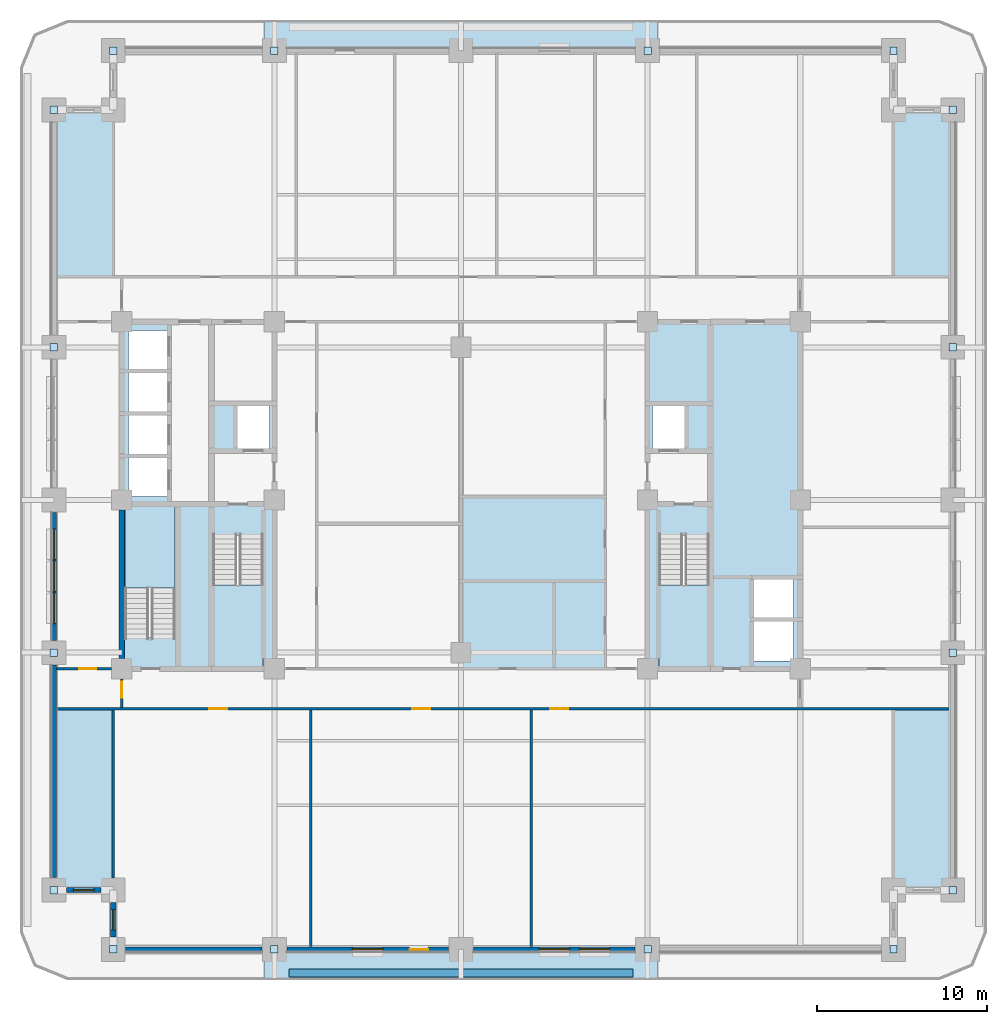
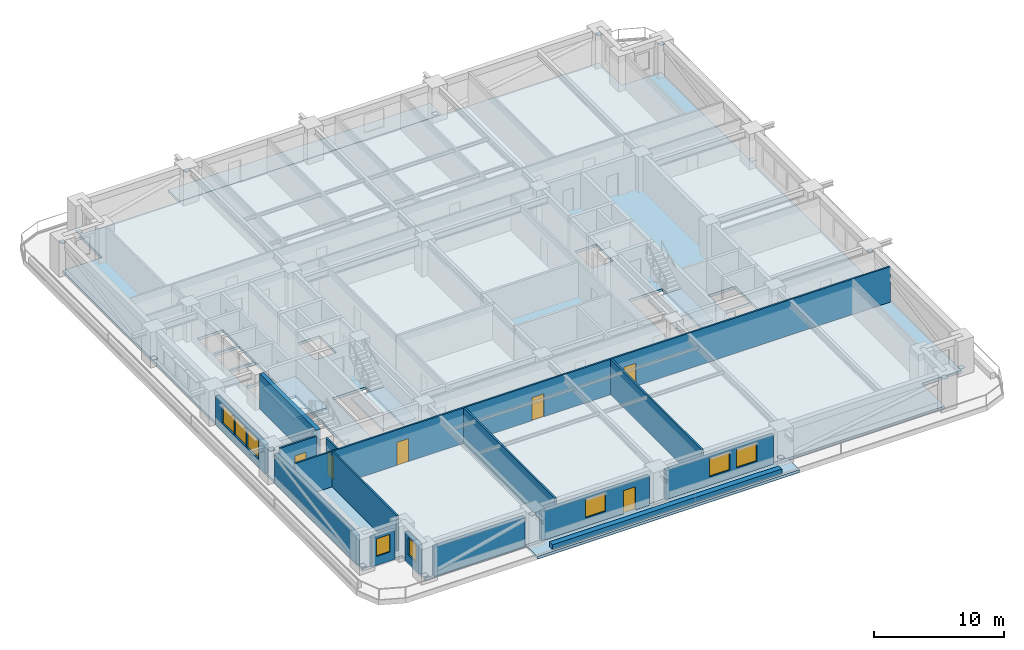
# One storey, part 2 of 14: 16 plates, 15 walls, 8 windows, 6 doors, 6 slabs, 14 openings, 3 elements without a shape of their own.
"""IFC4 building model written with IfcOpenShell, lengths in metres."""

import ifcopenshell
import ifcopenshell.guid

model = None  # the IFC model being written
_history = None  # IfcOwnerHistory: only IFC2X3 demands one
_inside = {}  # id of a spatial element -> (the spatial element, [elements in it])
_under = {}  # id of a project, library or spatial element -> (it, [spatial elements below it])
_declared = {}  # id of a project -> (the project, [libraries it declares])
_typed = {}  # id of a type object -> (the type object, [elements of that type])
_made_of = {}  # id of a material, layer set ... -> (it, [elements and type objects made of it])


def new_model(schema):
    """Start an empty IFC model of exactly this schema.

    Asked for "IFC4X3", IfcOpenShell would pick the latest addendum, in which some entities
    have other attributes; the version numbers below select the first issue.
    IFC2X3 requires an IfcOwnerHistory on every rooted entity: one is made here for all.
    """
    global model, _history
    if schema == "IFC4X3":
        model = ifcopenshell.file(schema_version=(4, 3, 0, 0))
    else:
        model = ifcopenshell.file(schema=schema)
    _inside.clear()
    _under.clear()
    _declared.clear()
    _typed.clear()
    _made_of.clear()
    _history = None
    if model.schema == "IFC2X3":
        org = make("IfcOrganization", Name="unknown")
        user = make(
            "IfcPersonAndOrganization",
            ThePerson=make("IfcPerson", FamilyName="unknown"),
            TheOrganization=org,
        )
        app = make(
            "IfcApplication",
            ApplicationDeveloper=org,
            Version="unknown",
            ApplicationFullName="unknown",
            ApplicationIdentifier="unknown",
        )
        _history = make(
            "IfcOwnerHistory",
            OwningUser=user,
            OwningApplication=app,
            ChangeAction="ADDED",
            CreationDate=0,
        )
    return model


def make(cls, **values):
    """One entity of the class cls with the attributes given. An attribute that is None is left unset."""
    return model.create_entity(
        cls, **{name: value for name, value in values.items() if value is not None}
    )


def rooted(cls, **values):
    """An entity with a GlobalId (a new one), such as an element, a storey or a relation."""
    return make(cls, GlobalId=ifcopenshell.guid.new(), OwnerHistory=_history, **values)


def si_unit(unit_type, name, prefix=None):
    """IfcSIUnit, for example si_unit("LENGTHUNIT", "METRE", prefix="MILLI")."""
    return make("IfcSIUnit", UnitType=unit_type, Prefix=prefix, Name=name)


def assignment(units):
    """IfcUnitAssignment: the units of a project."""
    return None if units is None else make("IfcUnitAssignment", Units=units)


def point(xyz):
    """IfcCartesianPoint."""
    return None if xyz is None else make("IfcCartesianPoint", Coordinates=xyz)


def direction(xyz):
    """IfcDirection."""
    return None if xyz is None else make("IfcDirection", DirectionRatios=xyz)


def frame(location, z_axis=None, x_axis=None):
    """IfcAxis2Placement3D, a coordinate frame: its origin and axes. An axis left out is left unset."""
    return make(
        "IfcAxis2Placement3D",
        Location=point(location),
        Axis=direction(z_axis),
        RefDirection=direction(x_axis),
    )


def frame_2d(location, x_axis=None):
    """IfcAxis2Placement2D, a coordinate frame in the plane: its origin and x axis."""
    return make(
        "IfcAxis2Placement2D", Location=point(location), RefDirection=direction(x_axis)
    )


def origin():
    """The frame at (0, 0, 0) with its axes left unset."""
    return frame((0.0, 0.0, 0.0))


def origin_2d():
    """The frame at (0, 0) in the plane with its x axis left unset."""
    return frame_2d((0.0, 0.0))


def place(relative_to, where):
    """IfcLocalPlacement: puts the frame where relative to a parent placement (None: the world)."""
    return make(
        "IfcLocalPlacement", PlacementRelTo=relative_to, RelativePlacement=where
    )


def context(
    kind, dimensions, precision=None, world=None, true_north=None, identifier=None
):
    """IfcGeometricRepresentationContext, for example the 3D "Model" context."""
    return make(
        "IfcGeometricRepresentationContext",
        ContextIdentifier=identifier,
        ContextType=kind,
        CoordinateSpaceDimension=dimensions,
        Precision=precision,
        WorldCoordinateSystem=world,
        TrueNorth=true_north,
    )


def subcontext(parent, identifier, kind, view, scale=None):
    """IfcGeometricRepresentationSubContext, for example "Body" below "Model"."""
    return make(
        "IfcGeometricRepresentationSubContext",
        ContextIdentifier=identifier,
        ContextType=kind,
        ParentContext=parent,
        TargetScale=scale,
        TargetView=view,
    )


def project(units=None, contexts=None):
    """IfcProject with its units and contexts."""
    return rooted(
        "IfcProject",
        Name="project",
        RepresentationContexts=contexts,
        UnitsInContext=assignment(units),
    )


def spatial(cls, under=None, at=None, **own):
    """A site, building, storey or space (cls), placed at a placement, below another one or the project."""
    s = rooted(cls, ObjectPlacement=at, **own)
    if under is not None:
        _under.setdefault(under.id(), (under, []))[1].append(s)
    return s


def polyline(points):
    """IfcPolyline through the points."""
    return make("IfcPolyline", Points=[point(p) for p in points])


def profile(cls, at=None, kind="AREA", **sizes):
    """A parametric profile (cls). Its sizes go by their IFC names, for example OverallWidth=200.0."""
    return make(cls, ProfileType=kind, Position=at, **sizes)


def rectangle(**sizes):
    """IfcRectangleProfileDef."""
    return profile("IfcRectangleProfileDef", **sizes)


def outline(outer, holes=None, kind="AREA"):
    """IfcArbitraryClosedProfileDef: a profile drawn as a closed curve; with holes, ...WithVoids."""
    if holes is None:
        return make("IfcArbitraryClosedProfileDef", ProfileType=kind, OuterCurve=outer)
    return make(
        "IfcArbitraryProfileDefWithVoids",
        ProfileType=kind,
        OuterCurve=outer,
        InnerCurves=holes,
    )


def extrude(swept, where, along, depth):
    """IfcExtrudedAreaSolid: the profile swept, set in the frame where, extruded along a direction by depth."""
    return make(
        "IfcExtrudedAreaSolid",
        SweptArea=swept,
        Position=where,
        ExtrudedDirection=direction(along),
        Depth=depth,
    )


def shape(context_of_items, identifier, shape_type, items):
    """IfcShapeRepresentation: the items that make up one representation, for example the "Body"."""
    return make(
        "IfcShapeRepresentation",
        ContextOfItems=context_of_items,
        RepresentationIdentifier=identifier,
        RepresentationType=shape_type,
        Items=items,
    )


def material(Name=None, Category=None):
    """IfcMaterial."""
    return make("IfcMaterial", Name=Name, Category=Category)


def layer(
    of_material, thickness, ventilated=None, Name=None, Category=None, Priority=None
):
    """IfcMaterialLayer: one layer of a wall or slab, of a material (None: an air gap)."""
    return make(
        "IfcMaterialLayer",
        Material=of_material,
        LayerThickness=thickness,
        IsVentilated=ventilated,
        Name=Name,
        Category=Category,
        Priority=Priority,
    )


def layer_set(layers, Name=None):
    """IfcMaterialLayerSet."""
    return make("IfcMaterialLayerSet", MaterialLayers=layers, LayerSetName=Name)


def made_of(thing, what):
    """Note that an element or type object is made of a material, layer set ...; save() writes the relation."""
    if what is not None:
        _made_of.setdefault(what.id(), (what, []))[1].append(thing)
    return thing


def type_object(cls, material=None, **own):
    """A type object (cls), such as IfcWallType, which elements share."""
    return made_of(rooted(cls, **own), material)


def element(
    cls,
    number,
    at=None,
    inside=None,
    cuts=None,
    type_object=None,
    material=None,
    context=None,
    identifier="Body",
    shape_type=None,
    held_by="IfcProductDefinitionShape",
    body=None,
    shapes=None,
    **own,
):
    """One element of the class cls, such as IfcWall. Its Tag is "e" and its number.

    at: its placement. inside: the storey or other place that contains it. cuts: it is an
    opening in that element (IfcRelVoidsElement). A single representation is given by context,
    identifier, shape_type and body (its items); several are given by shapes. held_by: the class
    of the entity that holds the representations. save() writes the other relations.
    """
    e = rooted(cls, Tag="e%d" % number, ObjectPlacement=at, **own)
    if body is not None:
        shapes = [shape(context, identifier, shape_type, body)]
    if shapes is not None:
        e.Representation = make(held_by, Representations=shapes)
    if inside is not None:
        _inside.setdefault(inside.id(), (inside, []))[1].append(e)
    if cuts is not None:
        rooted(
            "IfcRelVoidsElement", RelatingBuildingElement=cuts, RelatedOpeningElement=e
        )
    if type_object is not None:
        _typed.setdefault(type_object.id(), (type_object, []))[1].append(e)
    return made_of(e, material)


def fill(opening, filler):
    """IfcRelFillsElement: the door or window that sits in an opening."""
    return rooted(
        "IfcRelFillsElement",
        RelatingOpeningElement=opening,
        RelatedBuildingElement=filler,
    )


def aggregate(whole, parts):
    """IfcRelAggregates: a whole, such as a stair, and the parts it consists of."""
    return rooted("IfcRelAggregates", RelatingObject=whole, RelatedObjects=parts)


def save(model, path):
    """Write the relations noted so far, then the file.

    IfcRelAggregates (storeys below a building ...), IfcRelContainedInSpatialStructure (elements
    in a storey), IfcRelDefinesByType, IfcRelAssociatesMaterial and IfcRelDeclares: one each for
    every whole, place, type object, material and project.
    """
    for whole, parts in _under.values():
        aggregate(whole, parts)
    for where, things in _inside.values():
        rooted(
            "IfcRelContainedInSpatialStructure",
            RelatedElements=things,
            RelatingStructure=where,
        )
    for kind, things in _typed.values():
        rooted("IfcRelDefinesByType", RelatedObjects=things, RelatingType=kind)
    for what, things in _made_of.values():
        rooted("IfcRelAssociatesMaterial", RelatedObjects=things, RelatingMaterial=what)
    for by, libraries in _declared.values():
        rooted("IfcRelDeclares", RelatingContext=by, RelatedDefinitions=libraries)
    model.write(path)


model = new_model("IFC4")

# Units and contexts
model_context = context("Model", 3, precision=1e-05, world=origin(), true_north=direction((0.0, 1.0)))
body_context = subcontext(model_context, "Body", "Model", "MODEL_VIEW")
ifc_project = project(units=[si_unit("LENGTHUNIT", "METRE"), si_unit("AREAUNIT", "SQUARE_METRE"), si_unit("VOLUMEUNIT", "CUBIC_METRE"), si_unit("PLANEANGLEUNIT", "RADIAN"), si_unit("MASSUNIT", "GRAM", prefix="KILO")], contexts=[model_context])

# Site, building, storey
site_placement = place(None, origin())
site = spatial("IfcSite", under=ifc_project, at=site_placement, CompositionType="ELEMENT")
building_placement = place(site_placement, origin())
building = spatial("IfcBuilding", under=site, at=building_placement, Name="Zulmaris Gate Convention Tower", CompositionType="ELEMENT")
storey_placement = place(building_placement, frame((0.0, 0.0, 45.050048828125)))
storey = spatial("IfcBuildingStorey", under=building, at=storey_placement, Name="L10", CompositionType="ELEMENT", Elevation=45.050048828125)

# Plates
ifc_material_1 = material(Name="Steel S460", Category="steel")
ifc_layer_1 = layer(ifc_material_1, 0.02490234375, Name="Steel S460")
ifc_layer_set_1 = layer_set([ifc_layer_1], Name="Steel S460")
plate_type = type_object("IfcPlateType", Name="NP-CAP-440", PredefinedType="USERDEFINED", material=ifc_layer_set_1)
for number, where, z_axis, x_axis, name in (
    (1, (-24.0, -23.0, 0.28759765625), (0.0, 0.0, 1.0), (1.0, 0.0, 0.0), "L10 Steel Node Plate PBR-L10-SW-W-CAP"),
    (2, (-24.0, -9.0, 2.6875), (0.0, 0.0, 1.0), (1.0, 0.0, 0.0), "L10 Steel Node Plate PBR-L10-SW-W-CAPB"),
    (3, (-24.0, 9.0, 0.28759765625), (0.0, 0.0, 1.0), (1.0, 0.0, 0.0), "L10 Steel Node Plate PBR-L10-NW-W-CAP"),
    (4, (-24.0, 23.0, 2.6875), (0.0, 0.0, 1.0), (1.0, 0.0, 0.0), "L10 Steel Node Plate PBR-L10-NW-W-CAPB"),
    (5, (29.0, -23.0, 0.28759765625), (0.0, 0.0, 1.0), (1.0, 0.0, 0.0), "L10 Steel Node Plate PBR-L10-SE-E-CAP"),
    (6, (29.0, -9.0, 2.6875), (0.0, 0.0, 1.0), (1.0, 0.0, 0.0), "L10 Steel Node Plate PBR-L10-SE-E-CAPB"),
    (7, (29.0, 9.0, 0.28759765625), (0.0, 0.0, 1.0), (1.0, 0.0, 0.0), "L10 Steel Node Plate PBR-L10-NE-E-CAP"),
    (8, (29.0, 23.0, 2.6875), (0.0, 0.0, 1.0), (1.0, 0.0, 0.0), "L10 Steel Node Plate PBR-L10-NE-E-CAPB"),
    (9, (-20.5, -26.5, 0.28759765625), (0.0, 0.0, 1.0), (1.0, 0.0, 0.0), "L10 Steel Node Plate PBR-L10-SW-S-CAP"),
    (10, (-11.0, -26.5, 2.6875), (0.0, 0.0, 1.0), (1.0, 0.0, 0.0), "L10 Steel Node Plate PBR-L10-SW-S-CAPB"),
    (11, (11.0, -26.5, 0.28759765625), (0.0, 0.0, 1.0), (1.0, 0.0, 0.0), "L10 Steel Node Plate PBR-L10-SE-S-CAP"),
    (12, (25.5, -26.5, 2.6875), (0.0, 0.0, 1.0), (1.0, 0.0, 0.0), "L10 Steel Node Plate PBR-L10-SE-S-CAPB"),
    (13, (-20.5, 26.5, 0.28759765625), (0.0, 0.0, 1.0), (1.0, 0.0, 0.0), "L10 Steel Node Plate PBR-L10-NW-N-CAP"),
    (14, (-11.0, 26.5, 2.6875), (0.0, 0.0, 1.0), (1.0, 0.0, 0.0), "L10 Steel Node Plate PBR-L10-NW-N-CAPB"),
    (15, (11.0, 26.5, 0.28759765625), (0.0, 0.0, 1.0), (1.0, 0.0, 0.0), "L10 Steel Node Plate PBR-L10-NE-N-CAP"),
    (16, (25.5, 26.5, 2.6875), (0.0, 0.0, 1.0), (1.0, 0.0, 0.0), "L10 Steel Node Plate PBR-L10-NE-N-CAPB"),
):
    element("IfcPlate", number, at=place(storey_placement, frame(where, z_axis=z_axis, x_axis=x_axis)), inside=storey, type_object=plate_type, Name=name, ObjectType="FLANGE PLATE", PredefinedType="USERDEFINED", context=body_context, shape_type="SweptSolid", body=[
        extrude(rectangle(XDim=0.43994140625, YDim=0.43994140625, at=origin_2d()), origin(), (0.0, 0.0, 1.0), 0.02490234375),
    ])

# Slabs
ifc_material_2 = material(Name="Precast concrete C50/60", Category="concrete")
ifc_layer_2 = layer(ifc_material_2, 0.260009765625, Name="Precast concrete C50/60")
ifc_layer_set_2 = layer_set([ifc_layer_2], Name="Precast concrete C50/60")
slab_type_1 = type_object("IfcSlabType", Name="SL-BAL-260", PredefinedType="FLOOR", material=ifc_layer_set_2)
slab_1_placement = place(storey_placement, frame((0.0, 0.0, -0.25)))
element("IfcSlab", 17, at=slab_1_placement, inside=storey, type_object=slab_type_1, Name="L10 South Tree-Balcony Planter Slab", PredefinedType="FLOOR", context=body_context, shape_type="SweptSolid", body=[
    extrude(outline(polyline([(-11.597900390625, -28.300048828125), (-11.597900390625, -26.5), (11.597900390625, -26.5), (11.597900390625, -28.300048828125), (-11.597900390625, -28.300048828125)])), origin(), (0.0, 0.0, 1.0), 0.260009765625),
])
slab_2_placement = place(storey_placement, frame((0.0, 0.0, -0.25)))
element("IfcSlab", 18, at=slab_2_placement, inside=storey, type_object=slab_type_1, Name="L10 North Tree-Balcony Planter Slab", PredefinedType="FLOOR", context=body_context, shape_type="SweptSolid", body=[
    extrude(outline(polyline([(11.597900390625, 28.300048828125), (11.597900390625, 26.5), (-11.597900390625, 26.5), (-11.597900390625, 28.300048828125), (11.597900390625, 28.300048828125)])), origin(), (0.0, 0.0, 1.0), 0.260009765625),
])
ifc_material_3 = material(Name="Concrete C50/60", Category="concrete")
ifc_layer_3 = layer(ifc_material_3, 0.25, Name="Concrete C50/60")
ifc_layer_set_3 = layer_set([ifc_layer_3], Name="Concrete C50/60")
slab_type_2 = type_object("IfcSlabType", Name="SL-FLR-250", PredefinedType="FLOOR", material=ifc_layer_set_3)
slab_3_placement = place(storey_placement, frame((0.0, 0.0, -0.25)))
element("IfcSlab", 19, at=slab_3_placement, inside=storey, type_object=slab_type_2, Name="L10 Shifted Notched-Square Structural Floor Slab", PredefinedType="FLOOR", context=body_context, shape_type="SweptSolid", body=[
    extrude(outline(polyline([(-20.5, -26.5), (25.5, -26.5), (25.5, -23.0), (29.0, -23.0), (29.0, 23.0), (25.5, 23.0), (25.5, 26.5), (-20.5, 26.5), (-20.5, 23.0), (-24.0, 23.0), (-24.0, -23.0), (-20.5, -23.0), (-20.5, -26.5)]), holes=[polyline([(-14.6201171875, -2.080078125), (-14.6201171875, -9.85009765625), (-11.659912109375, -9.85009765625), (-11.659912109375, -2.080078125), (-14.6201171875, -2.080078125)]), polyline([(11.659912109375, -2.080078125), (11.659912109375, -9.85009765625), (14.6201171875, -9.85009765625), (14.6201171875, -2.080078125), (11.659912109375, -2.080078125)]), polyline([(-16.860107421875, -8.1201171875), (-16.860107421875, -0.35009765625), (-19.820068359375, -0.35009765625), (-19.820068359375, -8.1201171875), (-16.860107421875, -8.1201171875)]), polyline([(-13.199951171875, 3.0), (-11.300048828125, 3.0), (-11.300048828125, 5.60009765625), (-13.199951171875, 5.60009765625), (-13.199951171875, 3.0)]), polyline([(11.300048828125, 3.0), (13.199951171875, 3.0), (13.199951171875, 5.60009765625), (11.300048828125, 5.60009765625), (11.300048828125, 3.0)]), polyline([(-19.60009765625, 0.199951171875), (-17.300048828125, 0.199951171875), (-17.300048828125, 2.5), (-19.60009765625, 2.5), (-19.60009765625, 0.199951171875)]), polyline([(-19.60009765625, 2.699951171875), (-17.300048828125, 2.699951171875), (-17.300048828125, 5.0), (-19.60009765625, 5.0), (-19.60009765625, 2.699951171875)]), polyline([(-19.60009765625, 5.199951171875), (-17.300048828125, 5.199951171875), (-17.300048828125, 7.5), (-19.60009765625, 7.5), (-19.60009765625, 5.199951171875)]), polyline([(-19.60009765625, 7.699951171875), (-17.300048828125, 7.699951171875), (-17.300048828125, 10.0), (-19.60009765625, 10.0), (-19.60009765625, 7.699951171875)]), polyline([(17.199951171875, -9.5), (19.60009765625, -9.5), (19.60009765625, -7.10009765625), (17.199951171875, -7.10009765625), (17.199951171875, -9.5)]), polyline([(17.199951171875, -7.0), (19.60009765625, -7.0), (19.60009765625, -4.60009765625), (17.199951171875, -4.60009765625), (17.199951171875, -7.0)])]), origin(), (0.0, 0.0, 1.0), 0.25),
])

# Stair, slab
ifc_material_4 = material(Name="Concrete C45/55", Category="concrete")
stair_type = type_object("IfcStairType", Name="ST-CORE-DOGLEG", PredefinedType="HALF_TURN_STAIR", material=ifc_material_4)
stair_1_placement = place(storey_placement, origin())
stair_1 = element("IfcStair", 20, at=stair_1_placement, inside=storey, type_object=stair_type, Name="L10 Core Exit Stair ST-1", PredefinedType="HALF_TURN_STAIR")
ifc_layer_4 = layer(ifc_material_4, 0.199951171875, Name="Concrete C45/55")
ifc_layer_set_4 = layer_set([ifc_layer_4], Name="Concrete C45/55")
slab_type_3 = type_object("IfcSlabType", Name="SL-LND-200", PredefinedType="LANDING", material=ifc_layer_set_4)
slab_4_placement = place(storey_placement, frame((0.0, 0.0, 1.5849609375)))
slab_4 = element("IfcSlab", 21, at=slab_4_placement, type_object=slab_type_3, Name="ST-1 landing 1", PredefinedType="LANDING", context=body_context, shape_type="SweptSolid", body=[
    extrude(outline(polyline([(-14.6201171875, -5.0), (-14.6201171875, -9.85009765625), (-11.659912109375, -9.85009765625), (-11.659912109375, -5.0), (-14.6201171875, -5.0)])), origin(), (0.0, 0.0, 1.0), 0.199951171875),
])
aggregate(stair_1, [slab_4])

stair_2_placement = place(storey_placement, origin())
stair_2 = element("IfcStair", 22, at=stair_2_placement, inside=storey, type_object=stair_type, Name="L10 Core Exit Stair ST-2", PredefinedType="HALF_TURN_STAIR")
slab_5_placement = place(storey_placement, frame((0.0, 0.0, 1.5849609375)))
slab_5 = element("IfcSlab", 23, at=slab_5_placement, type_object=slab_type_3, Name="ST-2 landing 1", PredefinedType="LANDING", context=body_context, shape_type="SweptSolid", body=[
    extrude(outline(polyline([(11.659912109375, -5.0), (11.659912109375, -9.85009765625), (14.6201171875, -9.85009765625), (14.6201171875, -5.0), (11.659912109375, -5.0)])), origin(), (0.0, 0.0, 1.0), 0.199951171875),
])
aggregate(stair_2, [slab_5])

stair_3_placement = place(storey_placement, origin())
stair_3 = element("IfcStair", 24, at=stair_3_placement, inside=storey, type_object=stair_type, Name="L10 Core Exit Stair ST-3", PredefinedType="HALF_TURN_STAIR")
slab_6_placement = place(storey_placement, frame((0.0, 0.0, 1.5849609375)))
slab_6 = element("IfcSlab", 25, at=slab_6_placement, type_object=slab_type_3, Name="ST-3 landing 1", PredefinedType="LANDING", context=body_context, shape_type="SweptSolid", body=[
    extrude(outline(polyline([(-16.860107421875, -5.199951171875), (-16.860107421875, -0.35009765625), (-19.820068359375, -0.35009765625), (-19.820068359375, -5.199951171875), (-16.860107421875, -5.199951171875)])), origin(), (0.0, 0.0, 1.0), 0.199951171875),
])
aggregate(stair_3, [slab_6])

# Wall
ifc_material_5 = material(Name="Concrete C55/67", Category="concrete")
ifc_layer_5 = layer(ifc_material_5, 0.35009765625, Name="Concrete C55/67")
ifc_layer_set_5 = layer_set([ifc_layer_5], Name="Concrete C55/67")
wall_type_1 = type_object("IfcWallType", Name="CORE-350", PredefinedType="SHEAR", material=ifc_layer_set_5)
wall_1_placement = place(storey_placement, frame((-20.0, -9.345947265625, 0.0), z_axis=(0.0, 0.0, 1.0), x_axis=(0.0, 1.0, 0.0)))
element("IfcWall", 26, at=wall_1_placement, inside=storey, type_object=wall_type_1, Name="WL-L10-033", PredefinedType="SHEAR", context=body_context, shape_type="SweptSolid", body=[
    extrude(rectangle(XDim=8.741943359375, YDim=0.35009765625, at=frame_2d((4.37109375, 0.0))), origin(), (0.0, 0.0, 1.0), 3.320068359375),
])

# Wall, openings, doors
ifc_material_6 = material(Name="Gypsum Metal Stud Partition")
ifc_layer_6 = layer(ifc_material_6, 0.14990234375, Name="Gypsum Metal Stud Partition")
ifc_layer_set_6 = layer_set([ifc_layer_6], Name="Gypsum Metal Stud Partition")
wall_type_2 = type_object("IfcWallType", Name="PART-150", PredefinedType="PARTITIONING", material=ifc_layer_set_6)
wall_2_placement = place(storey_placement, frame((-23.8349609375, -12.300048828125, 0.0), z_axis=(0.0, 0.0, 1.0), x_axis=(1.0, 0.0, 0.0)))
wall_2 = element("IfcWall", 27, at=wall_2_placement, inside=storey, type_object=wall_type_2, Name="WL-L10-020", PredefinedType="PARTITIONING", context=body_context, shape_type="SweptSolid", body=[
    extrude(rectangle(XDim=52.669921875, YDim=0.14990234375, at=frame_2d((26.3349609375, 0.0))), origin(), (0.0, 0.0, 1.0), 3.320068359375),
])
opening_1_placement = place(wall_2_placement, frame((8.989990234375, 0.0, 0.0)))
opening_1 = element("IfcOpeningElement", 28, at=opening_1_placement, cuts=wall_2, Name="Opening D-09", PredefinedType="OPENING", context=body_context, shape_type="SweptSolid", body=[
    extrude(rectangle(XDim=1.050048828125, YDim=2.14990234375, at=frame_2d((0.52490234375, 1.074951171875))), frame((0.0, 0.0849609375, 0.0), z_axis=(0.0, -1.0, 0.0), x_axis=(1.0, 0.0, 0.0)), (0.0, 0.0, 1.0), 0.169921875),
])
opening_2_placement = place(wall_2_placement, frame((20.9599609375, 0.0, 0.0)))
opening_2 = element("IfcOpeningElement", 29, at=opening_2_placement, cuts=wall_2, Name="Opening D-09", PredefinedType="OPENING", context=body_context, shape_type="SweptSolid", body=[
    extrude(rectangle(XDim=1.050048828125, YDim=2.14990234375, at=frame_2d((0.52490234375, 1.074951171875))), frame((0.0, 0.0849609375, 0.0), z_axis=(0.0, -1.0, 0.0), x_axis=(1.0, 0.0, 0.0)), (0.0, 0.0, 1.0), 0.169921875),
])
opening_3_placement = place(wall_2_placement, frame((29.110107421875, 0.0, 0.0)))
opening_3 = element("IfcOpeningElement", 30, at=opening_3_placement, cuts=wall_2, Name="Opening D-09", PredefinedType="OPENING", context=body_context, shape_type="SweptSolid", body=[
    extrude(rectangle(XDim=1.050048828125, YDim=2.14990234375, at=frame_2d((0.52490234375, 1.074951171875))), frame((0.0, 0.0849609375, 0.0), z_axis=(0.0, -1.0, 0.0), x_axis=(1.0, 0.0, 0.0)), (0.0, 0.0, 1.0), 0.169921875),
])
ifc_material_7 = material(Name="Fire-Rated Steel", Category="steel")
door_type_1 = type_object("IfcDoorType", Name="DR-1050-FD", OperationType="NOTDEFINED", PredefinedType="DOOR", material=ifc_material_7)
door_1_placement = place(opening_1_placement, origin())
door_1 = element("IfcDoor", 31, at=door_1_placement, inside=storey, type_object=door_type_1, Name="L10 Partner Corner Office Door 27", OperationType="SINGLE_SWING_LEFT", OverallHeight=2.14990234375, OverallWidth=1.050048828125, PredefinedType="DOOR", context=body_context, shape_type="SweptSolid", body=[
    extrude(rectangle(XDim=1.050048828125, YDim=2.14990234375, at=frame_2d((0.52490234375, 1.074951171875))), frame((0.0, 0.02490234375, 0.0), z_axis=(0.0, -1.0, 0.0), x_axis=(1.0, 0.0, 0.0)), (0.0, 0.0, 1.0), 0.050048828125),
])
fill(opening_1, door_1)
door_2_placement = place(opening_2_placement, origin())
door_2 = element("IfcDoor", 32, at=door_2_placement, inside=storey, type_object=door_type_1, Name="L10 Advisory Suite Office Door 28", OperationType="SINGLE_SWING_RIGHT", OverallHeight=2.14990234375, OverallWidth=1.050048828125, PredefinedType="DOOR", context=body_context, shape_type="SweptSolid", body=[
    extrude(rectangle(XDim=1.050048828125, YDim=2.14990234375, at=frame_2d((0.52490234375, 1.074951171875))), frame((0.0, 0.02490234375, 0.0), z_axis=(0.0, -1.0, 0.0), x_axis=(1.0, 0.0, 0.0)), (0.0, 0.0, 1.0), 0.050048828125),
])
fill(opening_2, door_2)
door_3_placement = place(opening_3_placement, origin())
door_3 = element("IfcDoor", 33, at=door_3_placement, inside=storey, type_object=door_type_1, Name="L10 Open Plan Workplace Door 29", OperationType="SINGLE_SWING_LEFT", OverallHeight=2.14990234375, OverallWidth=1.050048828125, PredefinedType="DOOR", context=body_context, shape_type="SweptSolid", body=[
    extrude(rectangle(XDim=1.050048828125, YDim=2.14990234375, at=frame_2d((0.52490234375, 1.074951171875))), frame((0.0, 0.02490234375, 0.0), z_axis=(0.0, -1.0, 0.0), x_axis=(1.0, 0.0, 0.0)), (0.0, 0.0, 1.0), 0.050048828125),
])
fill(opening_3, door_3)

# Wall, opening, door
wall_3_placement = place(storey_placement, frame((-23.8349609375, -9.949951171875, 0.0), z_axis=(0.0, 0.0, 1.0), x_axis=(1.0, 0.0, 0.0)))
wall_3 = element("IfcWall", 34, at=wall_3_placement, inside=storey, type_object=wall_type_2, Name="WL-L10-021", PredefinedType="PARTITIONING", context=body_context, shape_type="SweptSolid", body=[
    extrude(rectangle(XDim=3.22900390625, YDim=0.14990234375, at=frame_2d((1.614501953125, 0.0))), origin(), (0.0, 0.0, 1.0), 3.320068359375),
])
opening_4_placement = place(wall_3_placement, frame((1.3349609375, 0.0, 0.0)))
opening_4 = element("IfcOpeningElement", 35, at=opening_4_placement, cuts=wall_3, Name="Opening D-10", PredefinedType="OPENING", context=body_context, shape_type="SweptSolid", body=[
    extrude(rectangle(XDim=1.0, YDim=2.14990234375, at=frame_2d((0.5, 1.074951171875))), frame((0.0, 0.0849609375, 0.0), z_axis=(0.0, -1.0, 0.0), x_axis=(1.0, 0.0, 0.0)), (0.0, 0.0, 1.0), 0.169921875),
])
ifc_material_8 = material(Name="Fire-Rated Timber", Category="wood")
door_type_2 = type_object("IfcDoorType", Name="DR-1000-FD", OperationType="NOTDEFINED", PredefinedType="DOOR", material=ifc_material_8)
door_4_placement = place(opening_4_placement, origin())
door_4 = element("IfcDoor", 36, at=door_4_placement, inside=storey, type_object=door_type_2, Name="L10 West Workplace South Door 39", OperationType="SINGLE_SWING_LEFT", OverallHeight=2.14990234375, OverallWidth=1.0, PredefinedType="DOOR", context=body_context, shape_type="SweptSolid", body=[
    extrude(rectangle(XDim=1.0, YDim=2.14990234375, at=frame_2d((0.5, 1.074951171875))), frame((0.0, 0.02490234375, 0.0), z_axis=(0.0, -1.0, 0.0), x_axis=(1.0, 0.0, 0.0)), (0.0, 0.0, 1.0), 0.050048828125),
])
fill(opening_4, door_4)

# Wall
wall_4_placement = place(storey_placement, frame((-20.5, -22.2939453125, 0.0), z_axis=(0.0, 0.0, 1.0), x_axis=(0.0, 1.0, 0.0)))
element("IfcWall", 37, at=wall_4_placement, inside=storey, type_object=wall_type_2, Name="WL-L10-068", PredefinedType="PARTITIONING", context=body_context, shape_type="SweptSolid", body=[
    extrude(rectangle(XDim=9.916015625, YDim=0.14990234375, at=frame_2d((4.9580078125, 0.0))), origin(), (0.0, 0.0, 1.0), 3.320068359375),
])

# Wall, opening, door
wall_5_placement = place(storey_placement, frame((-20.0, -12.221923828125, 0.0), z_axis=(0.0, 0.0, 1.0), x_axis=(0.0, 1.0, 0.0)))
wall_5 = element("IfcWall", 38, at=wall_5_placement, inside=storey, type_object=wall_type_2, Name="WL-L10-070", PredefinedType="PARTITIONING", context=body_context, shape_type="SweptSolid", body=[
    extrude(rectangle(XDim=1.666015625, YDim=0.14990234375, at=frame_2d((0.8330078125, 0.0))), origin(), (0.0, 0.0, 1.0), 3.320068359375),
])
opening_5_placement = place(wall_5_placement, frame((0.56591796875, 0.0, 0.0)))
opening_5 = element("IfcOpeningElement", 39, at=opening_5_placement, cuts=wall_5, Name="Opening D-11", PredefinedType="OPENING", context=body_context, shape_type="SweptSolid", body=[
    extrude(rectangle(XDim=0.949951171875, YDim=2.14990234375, at=frame_2d((0.47509765625, 1.074951171875))), frame((0.0, 0.0849609375, 0.0), z_axis=(0.0, -1.0, 0.0), x_axis=(1.0, 0.0, 0.0)), (0.0, 0.0, 1.0), 0.169921875),
])
door_type_3 = type_object("IfcDoorType", Name="DR-950-FD", OperationType="NOTDEFINED", PredefinedType="DOOR", material=ifc_material_8)
door_5_placement = place(opening_5_placement, origin())
door_5 = element("IfcDoor", 40, at=door_5_placement, inside=storey, type_object=door_type_3, Name="L10 SW Spur Door 37", OperationType="SINGLE_SWING_LEFT", OverallHeight=2.14990234375, OverallWidth=0.949951171875, PredefinedType="DOOR", context=body_context, shape_type="SweptSolid", body=[
    extrude(rectangle(XDim=0.949951171875, YDim=2.14990234375, at=frame_2d((0.47509765625, 1.074951171875))), frame((0.0, 0.02490234375, 0.0), z_axis=(0.0, -1.0, 0.0), x_axis=(1.0, 0.0, 0.0)), (0.0, 0.0, 1.0), 0.050048828125),
])
fill(opening_5, door_5)

# Walls
for number, where, z_axis, x_axis, name in (
    (41, (-8.85009765625, -26.3349609375, 0.0), (0.0, 0.0, 1.0), (0.0, 1.0, 0.0), "WL-L10-073"),
    (42, (4.14990234375, -26.3349609375, 0.0), (0.0, 0.0, 1.0), (0.0, 1.0, 0.0), "WL-L10-082"),
):
    element("IfcWall", number, at=place(storey_placement, frame(where, z_axis=z_axis, x_axis=x_axis)), inside=storey, type_object=wall_type_2, Name=name, PredefinedType="PARTITIONING", context=body_context, shape_type="SweptSolid", body=[
        extrude(rectangle(XDim=13.95703125, YDim=0.14990234375, at=frame_2d((6.978515625, 0.0))), origin(), (0.0, 0.0, 1.0), 3.320068359375),
    ])
ifc_material_9 = material(Name="Botanical Green Glazed Precast Concrete C40/50", Category="concrete")
ifc_layer_7 = layer(ifc_material_9, 0.419921875, Name="Botanical Green Glazed Precast Concrete C40/50")
ifc_layer_set_7 = layer_set([ifc_layer_7], Name="Botanical Green Glazed Precast Concrete C40/50")
wall_type_3 = type_object("IfcWallType", Name="PLANTER-CURB-200", PredefinedType="PARAPET", material=ifc_layer_set_7)
wall_6_placement = place(storey_placement, frame((-10.14990234375, -27.8798828125, -0.0400390625), z_axis=(0.0, 0.0, 1.0), x_axis=(1.0, 0.0, 0.0)))
element("IfcWall", 43, at=wall_6_placement, inside=storey, type_object=wall_type_3, Name="L10 Full-Length Balcony Tree Planter Trough", PredefinedType="PARAPET", context=body_context, shape_type="SweptSolid", body=[
    extrude(rectangle(XDim=20.2998046875, YDim=0.47998046875, at=frame_2d((10.14990234375, 0.0))), origin(), (0.0, 0.0, 1.0), 0.52001953125),
])

# Wall, opening, window
ifc_material_10 = material(Name="Precast concrete C40/50", Category="concrete")
ifc_layer_8 = layer(ifc_material_10, 0.300048828125, Name="Precast concrete C40/50")
ifc_layer_set_8 = layer_set([ifc_layer_8], Name="Precast concrete C40/50")
wall_type_4 = type_object("IfcWallType", Name="PRECAST-PIER-300", PredefinedType="STANDARD", material=ifc_layer_set_8)
wall_7_placement = place(storey_placement, frame((-23.27001953125, -23.0, 0.0), z_axis=(0.0, 0.0, 1.0), x_axis=(1.0, 0.0, 0.0)))
wall_7 = element("IfcWall", 44, at=wall_7_placement, inside=storey, type_object=wall_type_4, Name="EW-L10-NOTCH-SW1_0", PredefinedType="STANDARD", context=body_context, shape_type="SweptSolid", body=[
    extrude(rectangle(XDim=2.0400390625, YDim=0.300048828125, at=frame_2d((1.02001953125, 0.0))), origin(), (0.0, 0.0, 1.0), 2.712158203125),
])
opening_6_placement = place(wall_7_placement, frame((0.419921875, 0.0, 0.820068359375)))
opening_6 = element("IfcOpeningElement", 45, at=opening_6_placement, cuts=wall_7, Name="Opening W-04", PredefinedType="OPENING", context=body_context, shape_type="SweptSolid", body=[
    extrude(rectangle(XDim=1.199951171875, YDim=1.64990234375, at=frame_2d((0.60009765625, 0.824951171875))), frame((0.0, 0.16015625, 0.0), z_axis=(0.0, -1.0, 0.0), x_axis=(1.0, 0.0, 0.0)), (0.0, 0.0, 1.0), 0.320068359375),
])
ifc_material_11 = material(Name="Low-E Laminated Double Glazing in Aluminium Frame", Category="aluminium")
window_type_1 = type_object("IfcWindowType", Name="WIN-1200x2100", PartitioningType="SINGLE_PANEL", PredefinedType="WINDOW", material=ifc_material_11)
window_1_placement = place(opening_6_placement, origin())
window_1 = element("IfcWindow", 46, at=window_1_placement, inside=storey, type_object=window_type_1, Name="WN-EW-L10-NOTCH-SW1_0", OverallHeight=1.64990234375, OverallWidth=1.199951171875, PartitioningType="SINGLE_PANEL", PredefinedType="WINDOW", context=body_context, shape_type="SweptSolid", body=[
    extrude(rectangle(XDim=1.199951171875, YDim=1.64990234375, at=frame_2d((0.60009765625, 0.824951171875))), frame((0.0, 0.030029296875, 0.0), z_axis=(0.0, -1.0, 0.0), x_axis=(1.0, 0.0, 0.0)), (0.0, 0.0, 1.0), 0.06005859375),
])
fill(opening_6, window_1)

wall_8_placement = place(storey_placement, frame((-20.5, -23.72998046875, 0.0), z_axis=(0.0, 0.0, 1.0), x_axis=(0.0, -1.0, 0.0)))
wall_8 = element("IfcWall", 47, at=wall_8_placement, inside=storey, type_object=wall_type_4, Name="EW-L10-NOTCH-SW2_0", PredefinedType="STANDARD", context=body_context, shape_type="SweptSolid", body=[
    extrude(rectangle(XDim=2.0400390625, YDim=0.300048828125, at=frame_2d((1.02001953125, 0.0))), origin(), (0.0, 0.0, 1.0), 2.712158203125),
])
opening_7_placement = place(wall_8_placement, frame((0.419921875, 0.0, 0.820068359375)))
opening_7 = element("IfcOpeningElement", 48, at=opening_7_placement, cuts=wall_8, Name="Opening W-04", PredefinedType="OPENING", context=body_context, shape_type="SweptSolid", body=[
    extrude(rectangle(XDim=1.199951171875, YDim=1.64990234375, at=frame_2d((0.60009765625, 0.824951171875))), frame((0.0, 0.16015625, 0.0), z_axis=(0.0, -1.0, 0.0), x_axis=(1.0, 0.0, 0.0)), (0.0, 0.0, 1.0), 0.320068359375),
])
window_2_placement = place(opening_7_placement, origin())
window_2 = element("IfcWindow", 49, at=window_2_placement, inside=storey, type_object=window_type_1, Name="WN-EW-L10-NOTCH-SW2_0", OverallHeight=1.64990234375, OverallWidth=1.199951171875, PartitioningType="SINGLE_PANEL", PredefinedType="WINDOW", context=body_context, shape_type="SweptSolid", body=[
    extrude(rectangle(XDim=1.199951171875, YDim=1.64990234375, at=frame_2d((0.60009765625, 0.824951171875))), frame((0.0, 0.030029296875, 0.0), z_axis=(0.0, -1.0, 0.0), x_axis=(1.0, 0.0, 0.0)), (0.0, 0.0, 1.0), 0.06005859375),
])
fill(opening_7, window_2)

# Wall
wall_9_placement = place(storey_placement, frame((-19.77001953125, -26.5, 0.0), z_axis=(0.0, 0.0, 1.0), x_axis=(1.0, 0.0, 0.0)))
element("IfcWall", 50, at=wall_9_placement, inside=storey, type_object=wall_type_4, Name="EW-L10-S-0_0", PredefinedType="STANDARD", context=body_context, shape_type="SweptSolid", body=[
    extrude(rectangle(XDim=8.0400390625, YDim=0.300048828125, at=frame_2d((4.02001953125, 0.0))), origin(), (0.0, 0.0, 1.0), 2.712158203125),
])

# Wall, openings, door, window
wall_10_placement = place(storey_placement, frame((-10.27001953125, -26.5, 0.0), z_axis=(0.0, 0.0, 1.0), x_axis=(1.0, 0.0, 0.0)))
wall_10 = element("IfcWall", 51, at=wall_10_placement, inside=storey, type_object=wall_type_4, Name="EW-L10-S-1_0", PredefinedType="STANDARD", context=body_context, shape_type="SweptSolid", body=[
    extrude(rectangle(XDim=9.5400390625, YDim=0.300048828125, at=frame_2d((4.77001953125, 0.0))), origin(), (0.0, 0.0, 1.0), 2.712158203125),
])
opening_8_placement = place(wall_10_placement, frame((7.235107421875, 0.0, 0.0)))
opening_8 = element("IfcOpeningElement", 52, at=opening_8_placement, cuts=wall_10, Name="Opening D-04", PredefinedType="OPENING", context=body_context, shape_type="SweptSolid", body=[
    extrude(rectangle(XDim=1.10009765625, YDim=2.14990234375, at=frame_2d((0.550048828125, 1.074951171875))), frame((0.0, 0.16015625, 0.0), z_axis=(0.0, -1.0, 0.0), x_axis=(1.0, 0.0, 0.0)), (0.0, 0.0, 1.0), 0.320068359375),
])
opening_9_placement = place(wall_10_placement, frame((3.8701171875, 0.0, 0.780029296875)))
opening_9 = element("IfcOpeningElement", 53, at=opening_9_placement, cuts=wall_10, Name="Opening W-02", PredefinedType="OPENING", context=body_context, shape_type="SweptSolid", body=[
    extrude(rectangle(XDim=1.800048828125, YDim=1.719970703125, at=frame_2d((0.89990234375, 0.85986328125))), frame((0.0, 0.16015625, 0.0), z_axis=(0.0, -1.0, 0.0), x_axis=(1.0, 0.0, 0.0)), (0.0, 0.0, 1.0), 0.320068359375),
])
ifc_material_12 = material(Name="Anodised Aluminium and Laminated Glass", Category="aluminium")
door_type_4 = type_object("IfcDoorType", Name="ED-1100", OperationType="SINGLE_SWING_RIGHT", PredefinedType="DOOR", material=ifc_material_12)
door_6_placement = place(opening_8_placement, origin())
door_6 = element("IfcDoor", 54, at=door_6_placement, inside=storey, type_object=door_type_4, Name="L10 S Planted Terrace Door", OperationType="SINGLE_SWING_RIGHT", OverallHeight=2.14990234375, OverallWidth=1.10009765625, PredefinedType="DOOR", context=body_context, shape_type="SweptSolid", body=[
    extrude(rectangle(XDim=1.10009765625, YDim=2.14990234375, at=frame_2d((0.550048828125, 1.074951171875))), frame((0.0, 0.02490234375, 0.0), z_axis=(0.0, -1.0, 0.0), x_axis=(1.0, 0.0, 0.0)), (0.0, 0.0, 1.0), 0.050048828125),
])
fill(opening_8, door_6)
window_type_2 = type_object("IfcWindowType", Name="WIN-1800x2200", PartitioningType="SINGLE_PANEL", PredefinedType="WINDOW", material=ifc_material_11)
window_3_placement = place(opening_9_placement, origin())
window_3 = element("IfcWindow", 55, at=window_3_placement, inside=storey, type_object=window_type_2, Name="WN-EW-L10-S-1_0-2", OverallHeight=1.719970703125, OverallWidth=1.800048828125, PartitioningType="SINGLE_PANEL", PredefinedType="WINDOW", context=body_context, shape_type="SweptSolid", body=[
    extrude(rectangle(XDim=1.800048828125, YDim=1.719970703125, at=frame_2d((0.89990234375, 0.85986328125))), frame((0.0, 0.030029296875, 0.0), z_axis=(0.0, -1.0, 0.0), x_axis=(1.0, 0.0, 0.0)), (0.0, 0.0, 1.0), 0.06005859375),
])
fill(opening_9, window_3)

# Wall, openings, windows
wall_11_placement = place(storey_placement, frame((0.72998046875, -26.5, 0.0), z_axis=(0.0, 0.0, 1.0), x_axis=(1.0, 0.0, 0.0)))
wall_11 = element("IfcWall", 56, at=wall_11_placement, inside=storey, type_object=wall_type_4, Name="EW-L10-S-2_0", PredefinedType="STANDARD", context=body_context, shape_type="SweptSolid", body=[
    extrude(rectangle(XDim=9.5400390625, YDim=0.300048828125, at=frame_2d((4.77001953125, 0.0))), origin(), (0.0, 0.0, 1.0), 2.712158203125),
])
opening_10_placement = place(wall_11_placement, frame((3.8701171875, 0.0, 0.780029296875)))
opening_10 = element("IfcOpeningElement", 57, at=opening_10_placement, cuts=wall_11, Name="Opening W-02", PredefinedType="OPENING", context=body_context, shape_type="SweptSolid", body=[
    extrude(rectangle(XDim=1.800048828125, YDim=1.719970703125, at=frame_2d((0.89990234375, 0.85986328125))), frame((0.0, 0.16015625, 0.0), z_axis=(0.0, -1.0, 0.0), x_axis=(1.0, 0.0, 0.0)), (0.0, 0.0, 1.0), 0.320068359375),
])
opening_11_placement = place(wall_11_placement, frame((6.2548828125, 0.0, 0.780029296875)))
opening_11 = element("IfcOpeningElement", 58, at=opening_11_placement, cuts=wall_11, Name="Opening W-02", PredefinedType="OPENING", context=body_context, shape_type="SweptSolid", body=[
    extrude(rectangle(XDim=1.800048828125, YDim=1.719970703125, at=frame_2d((0.89990234375, 0.85986328125))), frame((0.0, 0.16015625, 0.0), z_axis=(0.0, -1.0, 0.0), x_axis=(1.0, 0.0, 0.0)), (0.0, 0.0, 1.0), 0.320068359375),
])
window_4_placement = place(opening_10_placement, origin())
window_4 = element("IfcWindow", 59, at=window_4_placement, inside=storey, type_object=window_type_2, Name="WN-EW-L10-S-2_0-2", OverallHeight=1.719970703125, OverallWidth=1.800048828125, PartitioningType="SINGLE_PANEL", PredefinedType="WINDOW", context=body_context, shape_type="SweptSolid", body=[
    extrude(rectangle(XDim=1.800048828125, YDim=1.719970703125, at=frame_2d((0.89990234375, 0.85986328125))), frame((0.0, 0.030029296875, 0.0), z_axis=(0.0, -1.0, 0.0), x_axis=(1.0, 0.0, 0.0)), (0.0, 0.0, 1.0), 0.06005859375),
])
fill(opening_10, window_4)
window_5_placement = place(opening_11_placement, origin())
window_5 = element("IfcWindow", 60, at=window_5_placement, inside=storey, type_object=window_type_2, Name="WN-EW-L10-S-2_0-3", OverallHeight=1.719970703125, OverallWidth=1.800048828125, PartitioningType="SINGLE_PANEL", PredefinedType="WINDOW", context=body_context, shape_type="SweptSolid", body=[
    extrude(rectangle(XDim=1.800048828125, YDim=1.719970703125, at=frame_2d((0.89990234375, 0.85986328125))), frame((0.0, 0.030029296875, 0.0), z_axis=(0.0, -1.0, 0.0), x_axis=(1.0, 0.0, 0.0)), (0.0, 0.0, 1.0), 0.06005859375),
])
fill(opening_11, window_5)

# Wall
wall_12_placement = place(storey_placement, frame((-24.0, -9.72998046875, 0.0), z_axis=(0.0, 0.0, 1.0), x_axis=(0.0, -1.0, 0.0)))
element("IfcWall", 61, at=wall_12_placement, inside=storey, type_object=wall_type_4, Name="EW-L10-W-0_0", PredefinedType="STANDARD", context=body_context, shape_type="SweptSolid", body=[
    extrude(rectangle(XDim=12.5400390625, YDim=0.300048828125, at=frame_2d((6.27001953125, 0.0))), origin(), (0.0, 0.0, 1.0), 2.712158203125),
])

# Wall, openings, windows
wall_13_placement = place(storey_placement, frame((-24.0, -0.72998046875, 0.0), z_axis=(0.0, 0.0, 1.0), x_axis=(0.0, -1.0, 0.0)))
wall_13 = element("IfcWall", 62, at=wall_13_placement, inside=storey, type_object=wall_type_4, Name="EW-L10-W-1_0", PredefinedType="STANDARD", context=body_context, shape_type="SweptSolid", body=[
    extrude(rectangle(XDim=7.5400390625, YDim=0.300048828125, at=frame_2d((3.77001953125, 0.0))), origin(), (0.0, 0.0, 1.0), 2.712158203125),
])
opening_12_placement = place(wall_13_placement, frame((0.985107421875, 0.0, 0.780029296875)))
opening_12 = element("IfcOpeningElement", 63, at=opening_12_placement, cuts=wall_13, Name="Opening W-02", PredefinedType="OPENING", context=body_context, shape_type="SweptSolid", body=[
    extrude(rectangle(XDim=1.800048828125, YDim=1.719970703125, at=frame_2d((0.89990234375, 0.85986328125))), frame((0.0, 0.16015625, 0.0), z_axis=(0.0, -1.0, 0.0), x_axis=(1.0, 0.0, 0.0)), (0.0, 0.0, 1.0), 0.320068359375),
])
opening_13_placement = place(wall_13_placement, frame((2.8701171875, 0.0, 0.780029296875)))
opening_13 = element("IfcOpeningElement", 64, at=opening_13_placement, cuts=wall_13, Name="Opening W-02", PredefinedType="OPENING", context=body_context, shape_type="SweptSolid", body=[
    extrude(rectangle(XDim=1.800048828125, YDim=1.719970703125, at=frame_2d((0.89990234375, 0.85986328125))), frame((0.0, 0.16015625, 0.0), z_axis=(0.0, -1.0, 0.0), x_axis=(1.0, 0.0, 0.0)), (0.0, 0.0, 1.0), 0.320068359375),
])
opening_14_placement = place(wall_13_placement, frame((4.7548828125, 0.0, 0.780029296875)))
opening_14 = element("IfcOpeningElement", 65, at=opening_14_placement, cuts=wall_13, Name="Opening W-02", PredefinedType="OPENING", context=body_context, shape_type="SweptSolid", body=[
    extrude(rectangle(XDim=1.800048828125, YDim=1.719970703125, at=frame_2d((0.89990234375, 0.85986328125))), frame((0.0, 0.16015625, 0.0), z_axis=(0.0, -1.0, 0.0), x_axis=(1.0, 0.0, 0.0)), (0.0, 0.0, 1.0), 0.320068359375),
])
window_6_placement = place(opening_12_placement, origin())
window_6 = element("IfcWindow", 66, at=window_6_placement, inside=storey, type_object=window_type_2, Name="WN-EW-L10-W-1_0-1", OverallHeight=1.719970703125, OverallWidth=1.800048828125, PartitioningType="SINGLE_PANEL", PredefinedType="WINDOW", context=body_context, shape_type="SweptSolid", body=[
    extrude(rectangle(XDim=1.800048828125, YDim=1.719970703125, at=frame_2d((0.89990234375, 0.85986328125))), frame((0.0, 0.030029296875, 0.0), z_axis=(0.0, -1.0, 0.0), x_axis=(1.0, 0.0, 0.0)), (0.0, 0.0, 1.0), 0.06005859375),
])
fill(opening_12, window_6)
window_7_placement = place(opening_13_placement, origin())
window_7 = element("IfcWindow", 67, at=window_7_placement, inside=storey, type_object=window_type_2, Name="WN-EW-L10-W-1_0-2", OverallHeight=1.719970703125, OverallWidth=1.800048828125, PartitioningType="SINGLE_PANEL", PredefinedType="WINDOW", context=body_context, shape_type="SweptSolid", body=[
    extrude(rectangle(XDim=1.800048828125, YDim=1.719970703125, at=frame_2d((0.89990234375, 0.85986328125))), frame((0.0, 0.030029296875, 0.0), z_axis=(0.0, -1.0, 0.0), x_axis=(1.0, 0.0, 0.0)), (0.0, 0.0, 1.0), 0.06005859375),
])
fill(opening_13, window_7)
window_8_placement = place(opening_14_placement, origin())
window_8 = element("IfcWindow", 68, at=window_8_placement, inside=storey, type_object=window_type_2, Name="WN-EW-L10-W-1_0-3", OverallHeight=1.719970703125, OverallWidth=1.800048828125, PartitioningType="SINGLE_PANEL", PredefinedType="WINDOW", context=body_context, shape_type="SweptSolid", body=[
    extrude(rectangle(XDim=1.800048828125, YDim=1.719970703125, at=frame_2d((0.89990234375, 0.85986328125))), frame((0.0, 0.030029296875, 0.0), z_axis=(0.0, -1.0, 0.0), x_axis=(1.0, 0.0, 0.0)), (0.0, 0.0, 1.0), 0.06005859375),
])
fill(opening_14, window_8)

save(model, "model.ifc")
